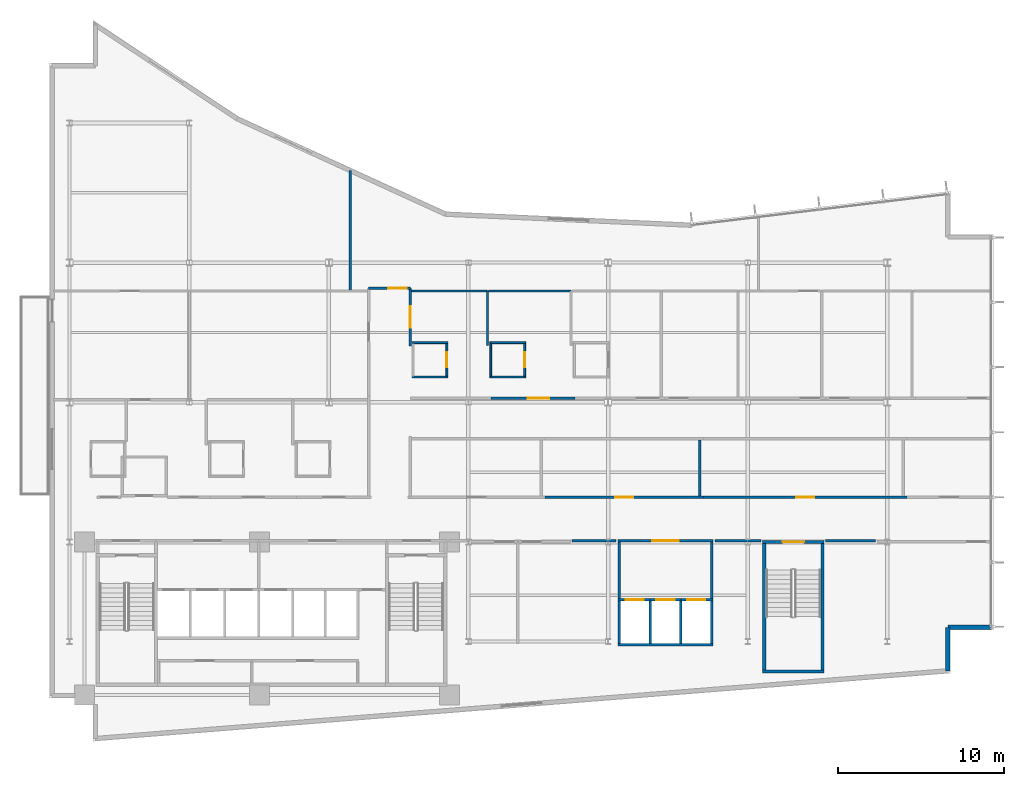
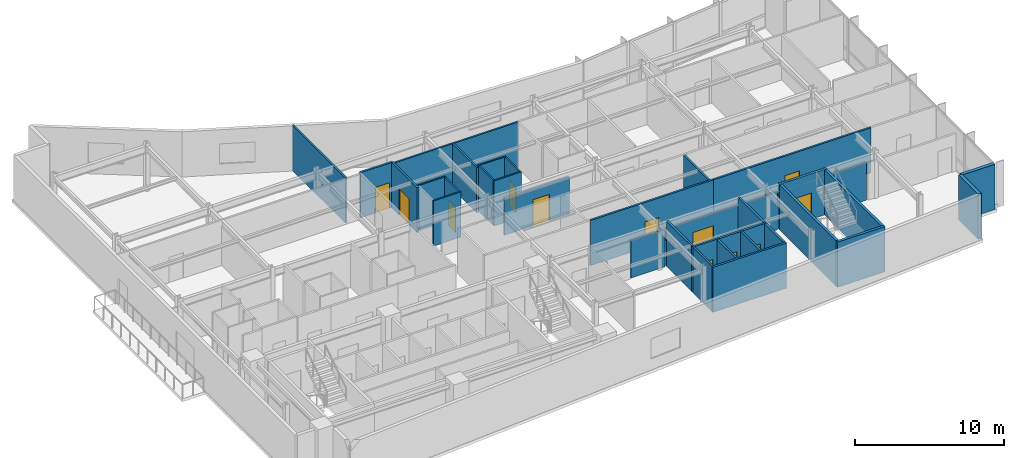
# One storey, part 12 of 18: 37 walls, 12 doors, 12 openings.
"""IFC4 building model written with IfcOpenShell, lengths in metres."""

from ifc_helpers import new_model, si_unit, direction, frame, frame_2d, origin, place, context, subcontext, project, spatial, rectangle, extrude, material, layer, layer_set, type_object, element, fill, save


model = new_model("IFC4")

# Units and contexts
model_context = context("Model", 3, precision=1e-05, world=origin(), true_north=direction((0.0, 1.0)))
body_context = subcontext(model_context, "Body", "Model", "MODEL_VIEW")
ifc_project = project(units=[si_unit("LENGTHUNIT", "METRE"), si_unit("AREAUNIT", "SQUARE_METRE"), si_unit("VOLUMEUNIT", "CUBIC_METRE"), si_unit("PLANEANGLEUNIT", "RADIAN"), si_unit("MASSUNIT", "GRAM", prefix="KILO")], contexts=[model_context])

# Site, building, storey
site_placement = place(None, origin())
site = spatial("IfcSite", under=ifc_project, at=site_placement, CompositionType="ELEMENT")
building_placement = place(site_placement, origin())
building = spatial("IfcBuilding", under=site, at=building_placement, Name="Varnakote Quay Hospital", CompositionType="ELEMENT")
storey_placement = place(building_placement, frame((0.0, 0.0, 119.14990234375)))
storey = spatial("IfcBuildingStorey", under=building, at=storey_placement, Name="L29", CompositionType="ELEMENT", Elevation=119.14990234375)

# Walls
ifc_material_1 = material(Name="Fire-rated acoustic gypsum stud wall", Category="gypsum")
ifc_layer_1 = layer(ifc_material_1, 0.159912109375)
ifc_layer_set_1 = layer_set([ifc_layer_1], Name="Fire-rated acoustic gypsum stud wall")
wall_type_1 = type_object("IfcWallType", Name="WL-COMP-160", PredefinedType="PARTITIONING", material=ifc_layer_set_1)
for number, where, z_axis, x_axis, name in (
    (1, (34.27001953125, 8.610107421875, 0.0), (0.0, 0.0, 1.0), (0.0, 1.0, 0.0), "L29 Mid-Rise Lift Lobby West Wall"),
    (2, (39.830078125, 8.610107421875, 0.0), (0.0, 0.0, 1.0), (0.0, 1.0, 0.0), "L29 Mid-Rise Lift Lobby East Wall"),
):
    element("IfcWall", number, at=place(storey_placement, frame(where, z_axis=z_axis, x_axis=x_axis)), inside=storey, type_object=wall_type_1, Name=name, PredefinedType="PARTITIONING", context=body_context, shape_type="SweptSolid", body=[
        extrude(rectangle(XDim=3.389892578125, YDim=0.159912109375, at=frame_2d((1.69482421875, 0.0))), origin(), (0.0, 0.0, 1.0), 3.710205078125),
    ])

# Wall, opening, door
wall_1_placement = place(storey_placement, frame((34.18994140625, 12.080078125, 0.0), z_axis=(0.0, 0.0, 1.0), x_axis=(1.0, 0.0, 0.0)))
wall_1 = element("IfcWall", 3, at=wall_1_placement, inside=storey, type_object=wall_type_1, Name="L29 Mid-Rise Lift Lobby North Wall", PredefinedType="PARTITIONING", context=body_context, shape_type="SweptSolid", body=[
    extrude(rectangle(XDim=5.719970703125, YDim=0.159912109375, at=frame_2d((2.85986328125, 0.0))), origin(), (0.0, 0.0, 1.0), 3.0830078125),
])
opening_1_placement = place(wall_1_placement, frame((2.06005859375, 0.0, 0.0)))
opening_1 = element("IfcOpeningElement", 4, at=opening_1_placement, cuts=wall_1, Name="Opening D-PML-L29", PredefinedType="OPENING", context=body_context, shape_type="SweptSolid", body=[
    extrude(rectangle(XDim=1.60009765625, YDim=2.050048828125, at=frame_2d((0.800048828125, 1.02490234375))), frame((0.0, 0.08984375, 0.0), z_axis=(0.0, -1.0, 0.0), x_axis=(1.0, 0.0, 0.0)), (0.0, 0.0, 1.0), 0.179931640625),
])
ifc_material_2 = material(Name="Fire-rated double smoke lobby door")
door_type_1 = type_object("IfcDoorType", Name="DR-LOBBY-FD60S-1600x2150", OperationType="NOTDEFINED", PredefinedType="DOOR", material=ifc_material_2)
door_1_placement = place(opening_1_placement, origin())
door_1 = element("IfcDoor", 5, at=door_1_placement, inside=storey, type_object=door_type_1, Name="L29 Mid-Rise Passenger Concourse Vestibule Door", OperationType="DOUBLE_DOOR_SINGLE_SWING", OverallHeight=2.050048828125, OverallWidth=1.60009765625, PredefinedType="DOOR", context=body_context, shape_type="SweptSolid", body=[
    extrude(rectangle(XDim=1.60009765625, YDim=2.050048828125, at=frame_2d((0.800048828125, 1.02490234375))), frame((0.0, 0.02490234375, 0.0), z_axis=(0.0, -1.0, 0.0), x_axis=(1.0, 0.0, 0.0)), (0.0, 0.0, 1.0), 0.050048828125),
])
fill(opening_1, door_1)

# Walls
wall_2_placement = place(storey_placement, frame((31.439208984375, 12.080078125, 0.0), z_axis=(0.0, 0.0, 1.0), x_axis=(1.0, 0.0, 0.0)))
element("IfcWall", 6, at=wall_2_placement, inside=storey, type_object=wall_type_1, Name="L29 Corridor South Gap Wall", PredefinedType="PARTITIONING", context=body_context, shape_type="SweptSolid", body=[
    extrude(rectangle(XDim=2.630859375, YDim=0.159912109375, at=frame_2d((1.3154296875, 0.0))), origin(), (0.0, 0.0, 1.0), 3.0830078125),
])
wall_3_placement = place(storey_placement, frame((40.030029296875, 12.080078125, 0.0), z_axis=(0.0, 0.0, 1.0), x_axis=(1.0, 0.0, 0.0)))
element("IfcWall", 7, at=wall_3_placement, inside=storey, type_object=wall_type_1, Name="L29 Corridor South Gap Wall", PredefinedType="PARTITIONING", context=body_context, shape_type="SweptSolid", body=[
    extrude(rectangle(XDim=2.78076171875, YDim=0.159912109375, at=frame_2d((1.390380859375, 0.0))), origin(), (0.0, 0.0, 1.0), 3.0830078125),
])
wall_4_placement = place(storey_placement, frame((46.689208984375, 12.080078125, 0.0), z_axis=(0.0, 0.0, 1.0), x_axis=(1.0, 0.0, 0.0)))
element("IfcWall", 8, at=wall_4_placement, inside=storey, type_object=wall_type_1, Name="L29 Corridor South Gap Wall", PredefinedType="PARTITIONING", context=body_context, shape_type="SweptSolid", body=[
    extrude(rectangle(XDim=3.0107421875, YDim=0.159912109375, at=frame_2d((1.50537109375, 0.0))), origin(), (0.0, 0.0, 1.0), 3.0830078125),
])
ifc_material_3 = material(Name="Moisture-resistant bathroom partition", Category="gypsum")
ifc_layer_2 = layer(ifc_material_3, 0.114990234375)
ifc_layer_set_2 = layer_set([ifc_layer_2], Name="Moisture-resistant bathroom partition")
wall_type_2 = type_object("IfcWallType", Name="WL-ENS-115", PredefinedType="PARTITIONING", material=ifc_layer_set_2)
for number, where, z_axis, x_axis, name in (
    (9, (21.804931640625, 21.922607421875, 0.0), (0.0, 0.0, 1.0), (1.0, 0.0, 0.0), "L29 Inpatient En-Suite Bathroom 04 S Wall"),
    (10, (21.804931640625, 23.987548828125, 0.0), (0.0, 0.0, 1.0), (1.0, 0.0, 0.0), "L29 Inpatient En-Suite Bathroom 04 N Wall"),
):
    element("IfcWall", number, at=place(storey_placement, frame(where, z_axis=z_axis, x_axis=x_axis)), inside=storey, type_object=wall_type_2, Name=name, PredefinedType="PARTITIONING", context=body_context, shape_type="SweptSolid", body=[
        extrude(rectangle(XDim=2.150146484375, YDim=0.114990234375, at=frame_2d((1.0751953125, 0.0))), origin(), (0.0, 0.0, 1.0), 3.710205078125),
    ])

# Wall, opening, door
wall_5_placement = place(storey_placement, frame((23.8974609375, 21.97998046875, 0.0), z_axis=(0.0, 0.0, 1.0), x_axis=(0.0, 1.0, 0.0)))
wall_5 = element("IfcWall", 11, at=wall_5_placement, inside=storey, type_object=wall_type_2, Name="L29 Inpatient En-Suite Bathroom 04 E Wall", PredefinedType="PARTITIONING", context=body_context, shape_type="SweptSolid", body=[
    extrude(rectangle(XDim=1.949951171875, YDim=0.114990234375, at=frame_2d((0.97509765625, 0.0))), origin(), (0.0, 0.0, 1.0), 3.710205078125),
])
opening_2_placement = place(wall_5_placement, frame((0.514892578125, 0.0, 0.0)))
opening_2 = element("IfcOpeningElement", 12, at=opening_2_placement, cuts=wall_5, Name="Opening D-L29-ENS04", PredefinedType="OPENING", context=body_context, shape_type="SweptSolid", body=[
    extrude(rectangle(XDim=0.919921875, YDim=2.10009765625, at=frame_2d((0.4599609375, 1.050048828125))), frame((0.0, 0.0673828125, 0.0), z_axis=(0.0, -1.0, 0.0), x_axis=(1.0, 0.0, 0.0)), (0.0, 0.0, 1.0), 0.135009765625),
])
ifc_material_4 = material(Name="Moisture-sealed en-suite bathroom door")
door_type_2 = type_object("IfcDoorType", Name="DR-ENS-920x2100", OperationType="NOTDEFINED", PredefinedType="DOOR", material=ifc_material_4)
door_2_placement = place(opening_2_placement, origin())
door_2 = element("IfcDoor", 13, at=door_2_placement, inside=storey, type_object=door_type_2, Name="L29 Inpatient En-Suite Bathroom 04 Door", OperationType="SINGLE_SWING_LEFT", OverallHeight=2.10009765625, OverallWidth=0.919921875, PredefinedType="DOOR", context=body_context, shape_type="SweptSolid", body=[
    extrude(rectangle(XDim=0.919921875, YDim=2.10009765625, at=frame_2d((0.4599609375, 1.050048828125))), frame((0.0, 0.02490234375, 0.0), z_axis=(0.0, -1.0, 0.0), x_axis=(1.0, 0.0, 0.0)), (0.0, 0.0, 1.0), 0.050048828125),
])
fill(opening_2, door_2)

# Walls
for number, where, z_axis, x_axis, name in (
    (14, (26.485107421875, 21.922607421875, 0.0), (0.0, 0.0, 1.0), (1.0, 0.0, 0.0), "L29 Inpatient En-Suite Bathroom 05 S Wall"),
    (15, (26.485107421875, 23.987548828125, 0.0), (0.0, 0.0, 1.0), (1.0, 0.0, 0.0), "L29 Inpatient En-Suite Bathroom 05 N Wall"),
):
    element("IfcWall", number, at=place(storey_placement, frame(where, z_axis=z_axis, x_axis=x_axis)), inside=storey, type_object=wall_type_2, Name=name, PredefinedType="PARTITIONING", context=body_context, shape_type="SweptSolid", body=[
        extrude(rectangle(XDim=2.14990234375, YDim=0.114990234375, at=frame_2d((1.074951171875, 0.0))), origin(), (0.0, 0.0, 1.0), 3.710205078125),
    ])
wall_6_placement = place(storey_placement, frame((26.54248046875, 21.97998046875, 0.0), z_axis=(0.0, 0.0, 1.0), x_axis=(0.0, 1.0, 0.0)))
element("IfcWall", 16, at=wall_6_placement, inside=storey, type_object=wall_type_2, Name="L29 Inpatient En-Suite Bathroom 05 W Wall", PredefinedType="PARTITIONING", context=body_context, shape_type="SweptSolid", body=[
    extrude(rectangle(XDim=1.949951171875, YDim=0.114990234375, at=frame_2d((0.97509765625, 0.0))), origin(), (0.0, 0.0, 1.0), 3.710205078125),
])

# Wall, opening, door
wall_7_placement = place(storey_placement, frame((28.577392578125, 21.97998046875, 0.0), z_axis=(0.0, 0.0, 1.0), x_axis=(0.0, 1.0, 0.0)))
wall_7 = element("IfcWall", 17, at=wall_7_placement, inside=storey, type_object=wall_type_2, Name="L29 Inpatient En-Suite Bathroom 05 E Wall", PredefinedType="PARTITIONING", context=body_context, shape_type="SweptSolid", body=[
    extrude(rectangle(XDim=1.949951171875, YDim=0.114990234375, at=frame_2d((0.97509765625, 0.0))), origin(), (0.0, 0.0, 1.0), 3.710205078125),
])
opening_3_placement = place(wall_7_placement, frame((0.514892578125, 0.0, 0.0)))
opening_3 = element("IfcOpeningElement", 18, at=opening_3_placement, cuts=wall_7, Name="Opening D-L29-ENS05", PredefinedType="OPENING", context=body_context, shape_type="SweptSolid", body=[
    extrude(rectangle(XDim=0.919921875, YDim=2.10009765625, at=frame_2d((0.4599609375, 1.050048828125))), frame((0.0, 0.0673828125, 0.0), z_axis=(0.0, -1.0, 0.0), x_axis=(1.0, 0.0, 0.0)), (0.0, 0.0, 1.0), 0.135009765625),
])
door_3_placement = place(opening_3_placement, origin())
door_3 = element("IfcDoor", 19, at=door_3_placement, inside=storey, type_object=door_type_2, Name="L29 Inpatient En-Suite Bathroom 05 Door", OperationType="SINGLE_SWING_RIGHT", OverallHeight=2.10009765625, OverallWidth=0.919921875, PredefinedType="DOOR", context=body_context, shape_type="SweptSolid", body=[
    extrude(rectangle(XDim=0.919921875, YDim=2.10009765625, at=frame_2d((0.4599609375, 1.050048828125))), frame((0.0, 0.02490234375, 0.0), z_axis=(0.0, -1.0, 0.0), x_axis=(1.0, 0.0, 0.0)), (0.0, 0.0, 1.0), 0.050048828125),
])
fill(opening_3, door_3)

# Walls
ifc_material_5 = material(Name="Precast concrete N50 (f'c 50 MPa)", Category="concrete")
ifc_layer_3 = layer(ifc_material_5, 0.260009765625)
ifc_layer_set_3 = layer_set([ifc_layer_3], Name="Precast concrete N50 (f'c 50 MPa)")
wall_type_3 = type_object("IfcWallType", Name="WL-EXT-BRICK-260", PredefinedType="STANDARD", material=ifc_layer_set_3)
wall_8_placement = place(storey_placement, frame((54.0400390625, 4.247802734375, 0.0), z_axis=(0.0, 0.0, 1.0), x_axis=(0.0, 1.0, 0.0)))
element("IfcWall", 20, at=wall_8_placement, inside=storey, type_object=wall_type_3, Name="L29 Brick-Faced Precast Exterior Wall", PredefinedType="STANDARD", context=body_context, shape_type="SweptSolid", body=[
    extrude(rectangle(XDim=2.6123046875, YDim=0.260009765625, at=frame_2d((1.30615234375, 0.0))), origin(), (0.0, 0.0, 1.0), 3.710205078125),
])
wall_9_placement = place(storey_placement, frame((54.0400390625, 6.860107421875, 0.0), z_axis=(0.0, 0.0, 1.0), x_axis=(1.0, 0.0, 0.0)))
element("IfcWall", 21, at=wall_9_placement, inside=storey, type_object=wall_type_3, Name="L29 Brick-Faced Precast Exterior Wall", PredefinedType="STANDARD", context=body_context, shape_type="SweptSolid", body=[
    extrude(rectangle(XDim=2.599853515625, YDim=0.260009765625, at=frame_2d((1.2998046875, 0.0))), origin(), (0.0, 0.0, 1.0), 3.710205078125),
])
ifc_material_6 = material(Name="Concrete N50 (f'c 50 MPa)", Category="concrete")
ifc_layer_4 = layer(ifc_material_6, 0.14990234375)
ifc_layer_set_4 = layer_set([ifc_layer_4], Name="Concrete N50 (f'c 50 MPa)")
wall_type_4 = type_object("IfcWallType", Name="WL-SHAFT-N50-150", PredefinedType="SHEAR", material=ifc_layer_set_4)
for number, where, z_axis, x_axis, name in (
    (22, (36.125, 5.89990234375, 0.0), (0.0, 0.0, 1.0), (0.0, 1.0, 0.0), "L29 LF-PM1 Hoistway Divider Wall"),
    (23, (37.97509765625, 5.89990234375, 0.0), (0.0, 0.0, 1.0), (0.0, 1.0, 0.0), "L29 LF-PM2 Hoistway Divider Wall"),
):
    element("IfcWall", number, at=place(storey_placement, frame(where, z_axis=z_axis, x_axis=x_axis)), inside=storey, type_object=wall_type_4, Name=name, PredefinedType="SHEAR", context=body_context, shape_type="SweptSolid", body=[
        extrude(rectangle(XDim=2.550048828125, YDim=0.14990234375, at=frame_2d((1.27490234375, 0.0))), origin(), (0.0, 0.0, 1.0), 3.710205078125),
    ])
ifc_material_7 = material(Name="Concrete N50 (f'c 50 MPa)", Category="concrete")
ifc_layer_5 = layer(ifc_material_7, 0.159912109375)
ifc_layer_set_5 = layer_set([ifc_layer_5], Name="Concrete N50 (f'c 50 MPa)")
wall_type_5 = type_object("IfcWallType", Name="WL-SHAFT-N50-160", PredefinedType="SHEAR", material=ifc_layer_set_5)
wall_10_placement = place(storey_placement, frame((34.18994140625, 5.820068359375, 0.0), z_axis=(0.0, 0.0, 1.0), x_axis=(1.0, 0.0, 0.0)))
element("IfcWall", 24, at=wall_10_placement, inside=storey, type_object=wall_type_5, Name="L29 MID Lift Bank Back Shear Wall", PredefinedType="SHEAR", context=body_context, shape_type="SweptSolid", body=[
    extrude(rectangle(XDim=5.719970703125, YDim=0.159912109375, at=frame_2d((2.85986328125, 0.0))), origin(), (0.0, 0.0, 1.0), 3.710205078125),
])
for number, where, z_axis, x_axis, name in (
    (25, (34.27001953125, 5.89990234375, 0.0), (0.0, 0.0, 1.0), (0.0, 1.0, 0.0), "L29 MID Lift Bank West Shear Wall"),
    (26, (39.830078125, 5.89990234375, 0.0), (0.0, 0.0, 1.0), (0.0, 1.0, 0.0), "L29 MID Lift Bank East Shear Wall"),
):
    element("IfcWall", number, at=place(storey_placement, frame(where, z_axis=z_axis, x_axis=x_axis)), inside=storey, type_object=wall_type_5, Name=name, PredefinedType="SHEAR", context=body_context, shape_type="SweptSolid", body=[
        extrude(rectangle(XDim=2.550048828125, YDim=0.159912109375, at=frame_2d((1.27490234375, 0.0))), origin(), (0.0, 0.0, 1.0), 3.710205078125),
    ])

# Wall, opening, door
wall_11_placement = place(storey_placement, frame((34.18994140625, 8.530029296875, 0.0), z_axis=(0.0, 0.0, 1.0), x_axis=(1.0, 0.0, 0.0)))
wall_11 = element("IfcWall", 27, at=wall_11_placement, inside=storey, type_object=wall_type_5, Name="L29 LF-PM1 Hoistway Front Wall", PredefinedType="SHEAR", context=body_context, shape_type="SweptSolid", body=[
    extrude(rectangle(XDim=1.93505859375, YDim=0.159912109375, at=frame_2d((0.967529296875, 0.0))), origin(), (0.0, 0.0, 1.0), 3.710205078125),
])
opening_4_placement = place(wall_11_placement, frame((0.4599609375, 0.0, 0.0)))
opening_4 = element("IfcOpeningElement", 28, at=opening_4_placement, cuts=wall_11, Name="Opening LD-PM1-L29", PredefinedType="OPENING", context=body_context, shape_type="SweptSolid", body=[
    extrude(rectangle(XDim=1.10009765625, YDim=2.14990234375, at=frame_2d((0.550048828125, 1.074951171875))), frame((0.0, 0.08984375, 0.0), z_axis=(0.0, -1.0, 0.0), x_axis=(1.0, 0.0, 0.0)), (0.0, 0.0, 1.0), 0.179931640625),
])
ifc_material_8 = material(Name="Brushed bronze lift landing sliding door")
door_type_3 = type_object("IfcDoorType", Name="DR-LIFT-LD-1100x2150", OperationType="NOTDEFINED", PredefinedType="DOOR", material=ifc_material_8)
door_4_placement = place(opening_4_placement, origin())
door_4 = element("IfcDoor", 29, at=door_4_placement, inside=storey, type_object=door_type_3, Name="L29 LF-PM1 Lift Landing Sliding Door", OperationType="SLIDING_TO_LEFT", OverallHeight=2.14990234375, OverallWidth=1.10009765625, PredefinedType="DOOR", context=body_context, shape_type="SweptSolid", body=[
    extrude(rectangle(XDim=1.10009765625, YDim=2.14990234375, at=frame_2d((0.550048828125, 1.074951171875))), frame((0.0, 0.02490234375, 0.0), z_axis=(0.0, -1.0, 0.0), x_axis=(1.0, 0.0, 0.0)), (0.0, 0.0, 1.0), 0.050048828125),
])
fill(opening_4, door_4)

wall_12_placement = place(storey_placement, frame((36.125, 8.530029296875, 0.0), z_axis=(0.0, 0.0, 1.0), x_axis=(1.0, 0.0, 0.0)))
wall_12 = element("IfcWall", 30, at=wall_12_placement, inside=storey, type_object=wall_type_5, Name="L29 LF-PM2 Hoistway Front Wall", PredefinedType="SHEAR", context=body_context, shape_type="SweptSolid", body=[
    extrude(rectangle(XDim=1.85009765625, YDim=0.159912109375, at=frame_2d((0.925048828125, 0.0))), origin(), (0.0, 0.0, 1.0), 3.710205078125),
])
opening_5_placement = place(wall_12_placement, frame((0.375, 0.0, 0.0)))
opening_5 = element("IfcOpeningElement", 31, at=opening_5_placement, cuts=wall_12, Name="Opening LD-PM2-L29", PredefinedType="OPENING", context=body_context, shape_type="SweptSolid", body=[
    extrude(rectangle(XDim=1.10009765625, YDim=2.14990234375, at=frame_2d((0.550048828125, 1.074951171875))), frame((0.0, 0.08984375, 0.0), z_axis=(0.0, -1.0, 0.0), x_axis=(1.0, 0.0, 0.0)), (0.0, 0.0, 1.0), 0.179931640625),
])
door_5_placement = place(opening_5_placement, origin())
door_5 = element("IfcDoor", 32, at=door_5_placement, inside=storey, type_object=door_type_3, Name="L29 LF-PM2 Lift Landing Sliding Door", OperationType="SLIDING_TO_LEFT", OverallHeight=2.14990234375, OverallWidth=1.10009765625, PredefinedType="DOOR", context=body_context, shape_type="SweptSolid", body=[
    extrude(rectangle(XDim=1.10009765625, YDim=2.14990234375, at=frame_2d((0.550048828125, 1.074951171875))), frame((0.0, 0.02490234375, 0.0), z_axis=(0.0, -1.0, 0.0), x_axis=(1.0, 0.0, 0.0)), (0.0, 0.0, 1.0), 0.050048828125),
])
fill(opening_5, door_5)

wall_13_placement = place(storey_placement, frame((37.97509765625, 8.530029296875, 0.0), z_axis=(0.0, 0.0, 1.0), x_axis=(1.0, 0.0, 0.0)))
wall_13 = element("IfcWall", 33, at=wall_13_placement, inside=storey, type_object=wall_type_5, Name="L29 LF-PM3 Hoistway Front Wall", PredefinedType="SHEAR", context=body_context, shape_type="SweptSolid", body=[
    extrude(rectangle(XDim=1.934814453125, YDim=0.159912109375, at=frame_2d((0.96728515625, 0.0))), origin(), (0.0, 0.0, 1.0), 3.710205078125),
])
opening_6_placement = place(wall_13_placement, frame((0.375, 0.0, 0.0)))
opening_6 = element("IfcOpeningElement", 34, at=opening_6_placement, cuts=wall_13, Name="Opening LD-PM3-L29", PredefinedType="OPENING", context=body_context, shape_type="SweptSolid", body=[
    extrude(rectangle(XDim=1.10009765625, YDim=2.14990234375, at=frame_2d((0.550048828125, 1.074951171875))), frame((0.0, 0.08984375, 0.0), z_axis=(0.0, -1.0, 0.0), x_axis=(1.0, 0.0, 0.0)), (0.0, 0.0, 1.0), 0.179931640625),
])
door_6_placement = place(opening_6_placement, origin())
door_6 = element("IfcDoor", 35, at=door_6_placement, inside=storey, type_object=door_type_3, Name="L29 LF-PM3 Lift Landing Sliding Door", OperationType="SLIDING_TO_LEFT", OverallHeight=2.14990234375, OverallWidth=1.10009765625, PredefinedType="DOOR", context=body_context, shape_type="SweptSolid", body=[
    extrude(rectangle(XDim=1.10009765625, YDim=2.14990234375, at=frame_2d((0.550048828125, 1.074951171875))), frame((0.0, 0.02490234375, 0.0), z_axis=(0.0, -1.0, 0.0), x_axis=(1.0, 0.0, 0.0)), (0.0, 0.0, 1.0), 0.050048828125),
])
fill(opening_6, door_6)

# Walls
ifc_material_9 = material(Name="Concrete N50 (f'c 50 MPa)", Category="concrete")
ifc_layer_6 = layer(ifc_material_9, 0.199951171875)
ifc_layer_set_6 = layer_set([ifc_layer_6], Name="Concrete N50 (f'c 50 MPa)")
wall_type_6 = type_object("IfcWallType", Name="WL-SHAFT-N50-200", PredefinedType="SHEAR", material=ifc_layer_set_6)
wall_14_placement = place(storey_placement, frame((42.89990234375, 4.199951171875, 0.0), z_axis=(0.0, 0.0, 1.0), x_axis=(1.0, 0.0, 0.0)))
element("IfcWall", 36, at=wall_14_placement, inside=storey, type_object=wall_type_6, Name="L29 Stair ST3 South Shaft Wall", PredefinedType="SHEAR", context=body_context, shape_type="SweptSolid", body=[
    extrude(rectangle(XDim=3.7001953125, YDim=0.199951171875, at=frame_2d((1.85009765625, 0.0))), origin(), (0.0, 0.0, 1.0), 3.710205078125),
])
for number, where, z_axis, x_axis, name in (
    (37, (43.0, 4.300048828125, 0.0), (0.0, 0.0, 1.0), (0.0, 1.0, 0.0), "L29 Stair ST3 West Shaft Wall"),
    (38, (46.5, 4.300048828125, 0.0), (0.0, 0.0, 1.0), (0.0, 1.0, 0.0), "L29 Stair ST3 East Shaft Wall"),
):
    element("IfcWall", number, at=place(storey_placement, frame(where, z_axis=z_axis, x_axis=x_axis)), inside=storey, type_object=wall_type_6, Name=name, PredefinedType="SHEAR", context=body_context, shape_type="SweptSolid", body=[
        extrude(rectangle(XDim=7.599853515625, YDim=0.199951171875, at=frame_2d((3.7998046875, 0.0))), origin(), (0.0, 0.0, 1.0), 3.710205078125),
    ])

# Wall, opening, door
wall_15_placement = place(storey_placement, frame((42.89990234375, 12.0, 0.0), z_axis=(0.0, 0.0, 1.0), x_axis=(1.0, 0.0, 0.0)))
wall_15 = element("IfcWall", 39, at=wall_15_placement, inside=storey, type_object=wall_type_6, Name="L29 Stair ST3 Exit Wall", PredefinedType="SHEAR", context=body_context, shape_type="SweptSolid", body=[
    extrude(rectangle(XDim=3.7001953125, YDim=0.199951171875, at=frame_2d((1.85009765625, 0.0))), origin(), (0.0, 0.0, 1.0), 3.710205078125),
])
opening_7_placement = place(wall_15_placement, frame((1.199951171875, 0.0, 0.0)))
opening_7 = element("IfcOpeningElement", 40, at=opening_7_placement, cuts=wall_15, Name="Opening D-ST3-L29", PredefinedType="OPENING", context=body_context, shape_type="SweptSolid", body=[
    extrude(rectangle(XDim=1.300048828125, YDim=2.14990234375, at=frame_2d((0.64990234375, 1.074951171875))), frame((0.0, 0.10986328125, 0.0), z_axis=(0.0, -1.0, 0.0), x_axis=(1.0, 0.0, 0.0)), (0.0, 0.0, 1.0), 0.219970703125),
])
ifc_material_10 = material(Name="Fire-rated ceramic-glazed timber exit door", Category="wood")
door_type_4 = type_object("IfcDoorType", Name="DR-STAIR-FD60S-1300x2150", OperationType="NOTDEFINED", PredefinedType="DOOR", material=ifc_material_10)
door_7_placement = place(opening_7_placement, origin())
door_7 = element("IfcDoor", 41, at=door_7_placement, inside=storey, type_object=door_type_4, Name="L29 Stair ST3 Fire Exit Door", OperationType="SINGLE_SWING_LEFT", OverallHeight=2.14990234375, OverallWidth=1.300048828125, PredefinedType="DOOR", context=body_context, shape_type="SweptSolid", body=[
    extrude(rectangle(XDim=1.300048828125, YDim=2.14990234375, at=frame_2d((0.64990234375, 1.074951171875))), frame((0.0, 0.02490234375, 0.0), z_axis=(0.0, -1.0, 0.0), x_axis=(1.0, 0.0, 0.0)), (0.0, 0.0, 1.0), 0.050048828125),
])
fill(opening_7, door_7)

# Walls
ifc_material_11 = material(Name="Smoke-proof clinical partition", Category="gypsum")
ifc_layer_7 = layer(ifc_material_11, 0.135009765625)
ifc_layer_set_7 = layer_set([ifc_layer_7], Name="Smoke-proof clinical partition")
wall_type_7 = type_object("IfcWallType", Name="WL-SMOKE-135", PredefinedType="PARTITIONING", material=ifc_layer_set_7)
wall_16_placement = place(storey_placement, frame((39.110107421875, 14.760009765625, 0.0), z_axis=(0.0, 0.0, 1.0), x_axis=(0.0, 1.0, 0.0)))
element("IfcWall", 42, at=wall_16_placement, inside=storey, type_object=wall_type_7, Name="L29 Clinical Interior Partition", PredefinedType="PARTITIONING", context=body_context, shape_type="SweptSolid", body=[
    extrude(rectangle(XDim=3.360107421875, YDim=0.135009765625, at=frame_2d((1.68017578125, 0.0))), origin(), (0.0, 0.0, 1.0), 3.710205078125),
])
wall_17_placement = place(storey_placement, frame((26.340087890625, 23.802490234375, 0.0), z_axis=(0.0, 0.0, 1.0), x_axis=(0.0, 1.0, 0.0)))
element("IfcWall", 43, at=wall_17_placement, inside=storey, type_object=wall_type_7, Name="L29 Clinical Interior Partition", PredefinedType="PARTITIONING", context=body_context, shape_type="SweptSolid", body=[
    extrude(rectangle(XDim=3.297607421875, YDim=0.135009765625, at=frame_2d((1.64892578125, 0.0))), origin(), (0.0, 0.0, 1.0), 3.710205078125),
])
wall_18_placement = place(storey_placement, frame((26.340087890625, 27.10009765625, 0.0), z_axis=(0.0, 0.0, 1.0), x_axis=(-1.0, 0.0, 0.0)))
element("IfcWall", 44, at=wall_18_placement, inside=storey, type_object=wall_type_7, Name="L29 Clinical Interior Partition", PredefinedType="PARTITIONING", context=body_context, shape_type="SweptSolid", body=[
    extrude(rectangle(XDim=4.5751953125, YDim=0.135009765625, at=frame_2d((2.28759765625, 0.0))), origin(), (0.0, 0.0, 1.0), 3.710205078125),
])
wall_19_placement = place(storey_placement, frame((31.3701171875, 27.10009765625, 0.0), z_axis=(0.0, 0.0, 1.0), x_axis=(-1.0, 0.0, 0.0)))
element("IfcWall", 45, at=wall_19_placement, inside=storey, type_object=wall_type_7, Name="L29 Clinical Interior Partition", PredefinedType="PARTITIONING", context=body_context, shape_type="SweptSolid", body=[
    extrude(rectangle(XDim=4.97265625, YDim=0.135009765625, at=frame_2d((2.486328125, 0.0))), origin(), (0.0, 0.0, 1.0), 3.710205078125),
])
wall_20_placement = place(storey_placement, frame((18.090087890625, 27.157470703125, 0.0), z_axis=(0.0, 0.0, 1.0), x_axis=(0.0, 1.0, 0.0)))
element("IfcWall", 46, at=wall_20_placement, inside=storey, type_object=wall_type_7, Name="L29 Clinical Interior Partition", PredefinedType="PARTITIONING", context=body_context, shape_type="SweptSolid", body=[
    extrude(rectangle(XDim=7.180908203125, YDim=0.135009765625, at=frame_2d((3.59033203125, 0.0))), origin(), (0.0, 0.0, 1.0), 3.710205078125),
])

# Wall, opening, door
ifc_material_12 = material(Name="Fire-rated clinical gypsum partition", Category="gypsum")
ifc_layer_8 = layer(ifc_material_12, 0.14990234375)
ifc_layer_set_8 = layer_set([ifc_layer_8], Name="Fire-rated clinical gypsum partition")
wall_type_8 = type_object("IfcWallType", Name="WL-WARD-150", PredefinedType="PARTITIONING", material=ifc_layer_set_8)
wall_21_placement = place(storey_placement, frame((39.3359375, 14.679931640625, 0.0), z_axis=(0.0, 0.0, 1.0), x_axis=(-1.0, 0.0, 0.0)))
wall_21 = element("IfcWall", 47, at=wall_21_placement, inside=storey, type_object=wall_type_8, Name="L29 Clinical Interior Partition", PredefinedType="PARTITIONING", context=body_context, shape_type="SweptSolid", body=[
    extrude(rectangle(XDim=9.52783203125, YDim=0.14990234375, at=frame_2d((4.763916015625, 0.0))), origin(), (0.0, 0.0, 1.0), 3.710205078125),
])
opening_8_placement = place(wall_21_placement, frame((4.214111328125, 0.0, 0.0)))
opening_8 = element("IfcOpeningElement", 48, at=opening_8_placement, cuts=wall_21, Name="Opening D-L29-MD03", PredefinedType="OPENING", context=body_context, shape_type="SweptSolid", body=[
    extrude(rectangle(XDim=1.10009765625, YDim=2.10009765625, at=frame_2d((0.550048828125, 1.050048828125))), frame((0.0, 0.0849609375, 0.0), z_axis=(0.0, -1.0, 0.0), x_axis=(1.0, 0.0, 0.0)), (0.0, 0.0, 1.0), 0.169921875),
])
ifc_material_13 = material(Name="Acoustic timber clinical consult door", Category="wood")
door_type_5 = type_object("IfcDoorType", Name="DR-CLIN-FD30S-1100x2100", OperationType="NOTDEFINED", PredefinedType="DOOR", material=ifc_material_13)
door_8_placement = place(opening_8_placement, origin())
door_8 = element("IfcDoor", 49, at=door_8_placement, inside=storey, type_object=door_type_5, Name="L29 Perinatal Clinical Consultation Suite Door", OperationType="SINGLE_SWING_RIGHT", OverallHeight=2.10009765625, OverallWidth=1.10009765625, PredefinedType="DOOR", context=body_context, shape_type="SweptSolid", body=[
    extrude(rectangle(XDim=1.10009765625, YDim=2.10009765625, at=frame_2d((0.550048828125, 1.050048828125))), frame((0.0, 0.02490234375, 0.0), z_axis=(0.0, -1.0, 0.0), x_axis=(1.0, 0.0, 0.0)), (0.0, 0.0, 1.0), 0.050048828125),
])
fill(opening_8, door_8)

wall_22_placement = place(storey_placement, frame((51.5859375, 14.679931640625, 0.0), z_axis=(0.0, 0.0, 1.0), x_axis=(-1.0, 0.0, 0.0)))
wall_22 = element("IfcWall", 50, at=wall_22_placement, inside=storey, type_object=wall_type_8, Name="L29 Clinical Interior Partition", PredefinedType="PARTITIONING", context=body_context, shape_type="SweptSolid", body=[
    extrude(rectangle(XDim=12.248046875, YDim=0.14990234375, at=frame_2d((6.1240234375, 0.0))), origin(), (0.0, 0.0, 1.0), 3.710205078125),
])
opening_9_placement = place(wall_22_placement, frame((5.573974609375, 0.0, 0.0)))
opening_9 = element("IfcOpeningElement", 51, at=opening_9_placement, cuts=wall_22, Name="Opening D-L29-MD04", PredefinedType="OPENING", context=body_context, shape_type="SweptSolid", body=[
    extrude(rectangle(XDim=1.10009765625, YDim=2.10009765625, at=frame_2d((0.550048828125, 1.050048828125))), frame((0.0, 0.0849609375, 0.0), z_axis=(0.0, -1.0, 0.0), x_axis=(1.0, 0.0, 0.0)), (0.0, 0.0, 1.0), 0.169921875),
])
door_9_placement = place(opening_9_placement, origin())
door_9 = element("IfcDoor", 52, at=door_9_placement, inside=storey, type_object=door_type_5, Name="L29 Ward Beverage Pantry Door", OperationType="SINGLE_SWING_LEFT", OverallHeight=2.10009765625, OverallWidth=1.10009765625, PredefinedType="DOOR", context=body_context, shape_type="SweptSolid", body=[
    extrude(rectangle(XDim=1.10009765625, YDim=2.10009765625, at=frame_2d((0.550048828125, 1.050048828125))), frame((0.0, 0.02490234375, 0.0), z_axis=(0.0, -1.0, 0.0), x_axis=(1.0, 0.0, 0.0)), (0.0, 0.0, 1.0), 0.050048828125),
])
fill(opening_9, door_9)

wall_23_placement = place(storey_placement, frame((21.699951171875, 23.783935546875, 0.0), z_axis=(0.0, 0.0, 1.0), x_axis=(0.0, 1.0, 0.0)))
wall_23 = element("IfcWall", 53, at=wall_23_placement, inside=storey, type_object=wall_type_8, Name="L29 Clinical Interior Partition", PredefinedType="PARTITIONING", context=body_context, shape_type="SweptSolid", body=[
    extrude(rectangle(XDim=3.47607421875, YDim=0.14990234375, at=frame_2d((1.738037109375, 0.0))), origin(), (0.0, 0.0, 1.0), 3.710205078125),
])
opening_10_placement = place(wall_23_placement, frame((1.087890625, 0.0, 0.0)))
opening_10 = element("IfcOpeningElement", 54, at=opening_10_placement, cuts=wall_23, Name="Opening D-L29-BR04", PredefinedType="OPENING", context=body_context, shape_type="SweptSolid", body=[
    extrude(rectangle(XDim=1.300048828125, YDim=2.14990234375, at=frame_2d((0.64990234375, 1.074951171875))), frame((0.0, 0.0849609375, 0.0), z_axis=(0.0, -1.0, 0.0), x_axis=(1.0, 0.0, 0.0)), (0.0, 0.0, 1.0), 0.169921875),
])
ifc_material_14 = material(Name="Solid-core timber clinical bed door", Category="wood")
door_type_6 = type_object("IfcDoorType", Name="DR-WARD-FD30S-1300x2150", OperationType="NOTDEFINED", PredefinedType="DOOR", material=ifc_material_14)
door_10_placement = place(opening_10_placement, origin())
door_10 = element("IfcDoor", 55, at=door_10_placement, inside=storey, type_object=door_type_6, Name="L29 Resident Care Bedroom 04 Door", OperationType="SINGLE_SWING_RIGHT", OverallHeight=2.14990234375, OverallWidth=1.300048828125, PredefinedType="DOOR", context=body_context, shape_type="SweptSolid", body=[
    extrude(rectangle(XDim=1.300048828125, YDim=2.14990234375, at=frame_2d((0.64990234375, 1.074951171875))), frame((0.0, 0.02490234375, 0.0), z_axis=(0.0, -1.0, 0.0), x_axis=(1.0, 0.0, 0.0)), (0.0, 0.0, 1.0), 0.050048828125),
])
fill(opening_10, door_10)

wall_24_placement = place(storey_placement, frame((21.699951171875, 27.260009765625, 0.0), z_axis=(0.0, 0.0, 1.0), x_axis=(-1.0, 0.0, 0.0)))
wall_24 = element("IfcWall", 56, at=wall_24_placement, inside=storey, type_object=wall_type_8, Name="L29 Clinical Interior Partition", PredefinedType="PARTITIONING", context=body_context, shape_type="SweptSolid", body=[
    extrude(rectangle(XDim=2.5, YDim=0.14990234375, at=frame_2d((1.25, 0.0))), origin(), (0.0, 0.0, 1.0), 3.710205078125),
])
opening_11_placement = place(wall_24_placement, frame((0.22509765625, 0.0, 0.0)))
opening_11 = element("IfcOpeningElement", 57, at=opening_11_placement, cuts=wall_24, Name="Opening D-L29-MD12", PredefinedType="OPENING", context=body_context, shape_type="SweptSolid", body=[
    extrude(rectangle(XDim=1.10009765625, YDim=2.10009765625, at=frame_2d((0.550048828125, 1.050048828125))), frame((0.0, 0.0849609375, 0.0), z_axis=(0.0, -1.0, 0.0), x_axis=(1.0, 0.0, 0.0)), (0.0, 0.0, 1.0), 0.169921875),
])
door_11_placement = place(opening_11_placement, origin())
door_11 = element("IfcDoor", 58, at=door_11_placement, inside=storey, type_object=door_type_5, Name="L29 Ward Beverage Pantry Door", OperationType="SINGLE_SWING_LEFT", OverallHeight=2.10009765625, OverallWidth=1.10009765625, PredefinedType="DOOR", context=body_context, shape_type="SweptSolid", body=[
    extrude(rectangle(XDim=1.10009765625, YDim=2.10009765625, at=frame_2d((0.550048828125, 1.050048828125))), frame((0.0, 0.02490234375, 0.0), z_axis=(0.0, -1.0, 0.0), x_axis=(1.0, 0.0, 0.0)), (0.0, 0.0, 1.0), 0.050048828125),
])
fill(opening_11, door_11)

wall_25_placement = place(storey_placement, frame((31.595947265625, 20.64990234375, 0.0), z_axis=(0.0, 0.0, 1.0), x_axis=(-1.0, 0.0, 0.0)))
wall_25 = element("IfcWall", 59, at=wall_25_placement, inside=storey, type_object=wall_type_8, Name="L29 Clinical Interior Partition", PredefinedType="PARTITIONING", context=body_context, shape_type="SweptSolid", body=[
    extrude(rectangle(XDim=5.02783203125, YDim=0.14990234375, at=frame_2d((2.513916015625, 0.0))), origin(), (0.0, 0.0, 1.0), 3.0830078125),
])
opening_12_placement = place(wall_25_placement, frame((1.53125, 0.0, 0.0)))
opening_12 = element("IfcOpeningElement", 60, at=opening_12_placement, cuts=wall_25, Name="Opening D-L29-BR05", PredefinedType="OPENING", context=body_context, shape_type="SweptSolid", body=[
    extrude(rectangle(XDim=1.300048828125, YDim=2.14990234375, at=frame_2d((0.64990234375, 1.074951171875))), frame((0.0, 0.0849609375, 0.0), z_axis=(0.0, -1.0, 0.0), x_axis=(1.0, 0.0, 0.0)), (0.0, 0.0, 1.0), 0.169921875),
])
door_12_placement = place(opening_12_placement, origin())
door_12 = element("IfcDoor", 61, at=door_12_placement, inside=storey, type_object=door_type_6, Name="L29 Resident Care Bedroom 05 Door", OperationType="SINGLE_SWING_RIGHT", OverallHeight=2.14990234375, OverallWidth=1.300048828125, PredefinedType="DOOR", context=body_context, shape_type="SweptSolid", body=[
    extrude(rectangle(XDim=1.300048828125, YDim=2.14990234375, at=frame_2d((0.64990234375, 1.074951171875))), frame((0.0, 0.02490234375, 0.0), z_axis=(0.0, -1.0, 0.0), x_axis=(1.0, 0.0, 0.0)), (0.0, 0.0, 1.0), 0.050048828125),
])
fill(opening_12, door_12)

save(model, "model.ifc")
